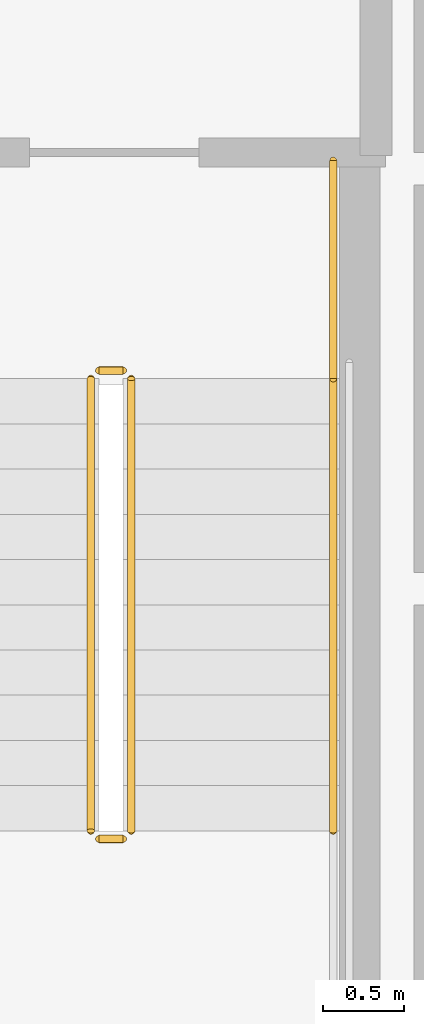
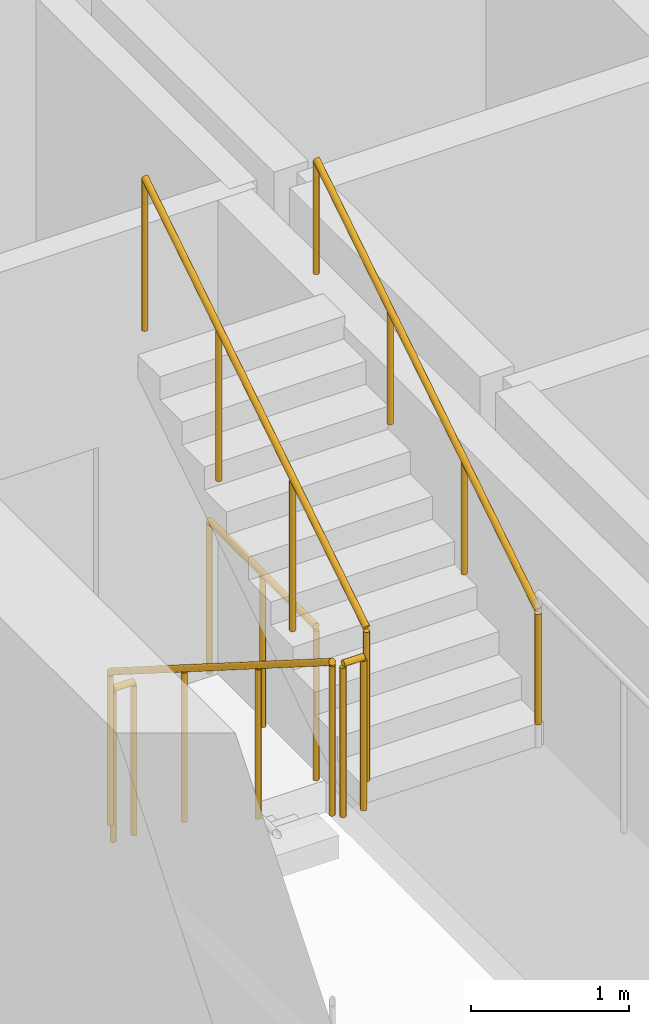
# One storey, part 12 of 15: 6 railings.
"""IFC4 building model written with IfcOpenShell, lengths in metres."""

from ifc_helpers import new_model, si_unit, direction, frame, origin, origin_2d, place, context, subcontext, project, spatial, circle, extrude, material, type_object, element, save


model = new_model("IFC4")

# Units and contexts
model_context = context("Model", 3, precision=1e-05, world=origin(), true_north=direction((0.0, 1.0)))
body_context = subcontext(model_context, "Body", "Model", "MODEL_VIEW")
ifc_project = project(units=[si_unit("LENGTHUNIT", "METRE"), si_unit("AREAUNIT", "SQUARE_METRE"), si_unit("VOLUMEUNIT", "CUBIC_METRE"), si_unit("PLANEANGLEUNIT", "RADIAN"), si_unit("MASSUNIT", "GRAM", prefix="KILO")], contexts=[model_context])

# Site, building, storey
site_placement = place(None, origin())
site = spatial("IfcSite", under=ifc_project, at=site_placement, CompositionType="ELEMENT")
building_placement = place(site_placement, origin())
building = spatial("IfcBuilding", under=site, at=building_placement, Name="Voryun Gate Residences", CompositionType="ELEMENT")
storey_placement = place(building_placement, frame((0.0, 0.0, 26.0)))
storey = spatial("IfcBuildingStorey", under=building, at=storey_placement, Name="L05", CompositionType="ELEMENT", Elevation=26.0)

# Railings
ifc_material_1 = material(Name="Painted steel", Category="steel")
railing_type_1 = type_object("IfcRailingType", Name="RAIL_STAIR_GUARD_1200", PredefinedType="GUARDRAIL", material=ifc_material_1)
railing_1_placement = place(storey_placement, frame((-17.52490234375, -0.800048828125, 0.17724609375)))
element("IfcRailing", 1, at=railing_1_placement, inside=storey, type_object=railing_type_1, Name="L05 ST-W1 stair guard 1", PredefinedType="GUARDRAIL", context=body_context, shape_type="SweptSolid", body=[
    extrude(circle(Radius=0.02392578125, at=origin_2d()), frame((0.0, 0.0, 1.17578125), z_axis=(0.0, -0.844908973607, 0.534910110503), x_axis=(1.0, 0.0, 0.0)), (0.0, 0.0, 1.0), 3.31396484375),
    extrude(circle(Radius=0.02099609375, at=origin_2d()), origin(), (0.0, 0.0, 1.0), 1.15185546875),
    extrude(circle(Radius=0.02099609375, at=origin_2d()), frame((0.0, -0.933349609375, 0.5908203125)), (0.0, 0.0, 1.0), 1.15185546875),
    extrude(circle(Radius=0.02099609375, at=origin_2d()), frame((0.0, -1.86669921875, 1.181884765625)), (0.0, 0.0, 1.0), 1.15185546875),
    extrude(circle(Radius=0.02099609375, at=origin_2d()), frame((0.0, -2.800048828125, 1.772705078125)), (0.0, 0.0, 1.0), 1.15185546875),
])
railing_2_placement = place(storey_placement, frame((-17.47509765625, -3.64990234375, 1.949951171875)))
element("IfcRailing", 2, at=railing_2_placement, inside=storey, type_object=railing_type_1, Name="L05 ST-W1 stair guard 2", PredefinedType="GUARDRAIL", context=body_context, shape_type="SweptSolid", body=[
    extrude(circle(Radius=0.02392578125, at=origin_2d()), frame((0.0, 0.0, 1.17578125), z_axis=(1.0, 0.0, 0.0), x_axis=(0.0, 1.0, 0.0)), (0.0, 0.0, 1.0), 0.150146484375),
    extrude(circle(Radius=0.02099609375, at=origin_2d()), origin(), (0.0, 0.0, 1.0), 1.15185546875),
    extrude(circle(Radius=0.02099609375, at=origin_2d()), frame((0.150146484375, 0.0, 0.0)), (0.0, 0.0, 1.0), 1.15185546875),
])
railing_3_placement = place(storey_placement, frame((-17.27490234375, -3.60009765625, 2.127197265625)))
element("IfcRailing", 3, at=railing_3_placement, inside=storey, type_object=railing_type_1, Name="L05 ST-W1 stair guard 6", PredefinedType="GUARDRAIL", context=body_context, shape_type="SweptSolid", body=[
    extrude(circle(Radius=0.02392578125, at=origin_2d()), frame((0.0, 0.0, 1.17578125), z_axis=(0.0, 0.844908973607, 0.534910110503), x_axis=(-1.0, 0.0, 0.0)), (0.0, 0.0, 1.0), 3.31396484375),
    extrude(circle(Radius=0.02099609375, at=origin_2d()), origin(), (0.0, 0.0, 1.0), 1.15185546875),
    extrude(circle(Radius=0.02099609375, at=origin_2d()), frame((0.0, 0.933349609375, 0.5908203125)), (0.0, 0.0, 1.0), 1.15185546875),
    extrude(circle(Radius=0.02099609375, at=origin_2d()), frame((0.0, 1.86669921875, 1.181884765625)), (0.0, 0.0, 1.0), 1.15185546875),
    extrude(circle(Radius=0.02099609375, at=origin_2d()), frame((0.0, 2.800048828125, 1.772705078125)), (0.0, 0.0, 1.0), 1.15185546875),
])
railing_4_placement = place(storey_placement, frame((-17.47509765625, -0.75, 0.0)))
element("IfcRailing", 4, at=railing_4_placement, inside=storey, type_object=railing_type_1, Name="L05 ST-W1 stair guard 7", PredefinedType="GUARDRAIL", context=body_context, shape_type="SweptSolid", body=[
    extrude(circle(Radius=0.02392578125, at=origin_2d()), frame((0.0, 0.0, 1.17578125), z_axis=(1.0, 0.0, 0.0), x_axis=(0.0, 1.0, 0.0)), (0.0, 0.0, 1.0), 0.150146484375),
    extrude(circle(Radius=0.02099609375, at=origin_2d()), origin(), (0.0, 0.0, 1.0), 1.15185546875),
    extrude(circle(Radius=0.02099609375, at=origin_2d()), frame((0.150146484375, 0.0, 0.0)), (0.0, 0.0, 1.0), 1.15185546875),
])
railing_5_placement = place(storey_placement, frame((-16.02490234375, 0.550048828125, 0.0)))
element("IfcRailing", 5, at=railing_5_placement, inside=storey, type_object=railing_type_1, Name="L05 ST-W1 stair guard 9", PredefinedType="GUARDRAIL", context=body_context, shape_type="SweptSolid", body=[
    extrude(circle(Radius=0.02392578125, at=origin_2d()), frame((0.0, 0.0, 1.17578125), z_axis=(0.0, -1.0, 0.0), x_axis=(1.0, 0.0, 0.0)), (0.0, 0.0, 1.0), 1.35009765625),
    extrude(circle(Radius=0.02099609375, at=origin_2d()), origin(), (0.0, 0.0, 1.0), 1.15185546875),
    extrude(circle(Radius=0.02099609375, at=origin_2d()), frame((0.0, -0.675048828125, 0.0)), (0.0, 0.0, 1.0), 1.15185546875),
    extrude(circle(Radius=0.02099609375, at=origin_2d()), frame((0.0, -1.35009765625, 0.0)), (0.0, 0.0, 1.0), 1.15185546875),
])
ifc_material_2 = material(Name="Painted steel", Category="steel")
railing_type_2 = type_object("IfcRailingType", Name="RAIL_STAIR_HANDRAIL_900", PredefinedType="HANDRAIL", material=ifc_material_2)
railing_6_placement = place(storey_placement, frame((-16.02490234375, -3.60009765625, 2.127197265625)))
element("IfcRailing", 6, at=railing_6_placement, inside=storey, type_object=railing_type_2, Name="L05 ST-W1 stair handrail 2", PredefinedType="HANDRAIL", context=body_context, shape_type="SweptSolid", body=[
    extrude(circle(Radius=0.02392578125, at=origin_2d()), frame((0.0, 0.0, 0.8759765625), z_axis=(0.0, 0.844908973607, 0.534910110503), x_axis=(-1.0, 0.0, 0.0)), (0.0, 0.0, 1.0), 3.31396484375),
    extrude(circle(Radius=0.02099609375, at=origin_2d()), origin(), (0.0, 0.0, 1.0), 0.851806640625),
    extrude(circle(Radius=0.02099609375, at=origin_2d()), frame((0.0, 0.933349609375, 0.5908203125)), (0.0, 0.0, 1.0), 0.851806640625),
    extrude(circle(Radius=0.02099609375, at=origin_2d()), frame((0.0, 1.86669921875, 1.181884765625)), (0.0, 0.0, 1.0), 0.851806640625),
    extrude(circle(Radius=0.02099609375, at=origin_2d()), frame((0.0, 2.800048828125, 1.772705078125)), (0.0, 0.0, 1.0), 0.851806640625),
])

save(model, "model.ifc")
